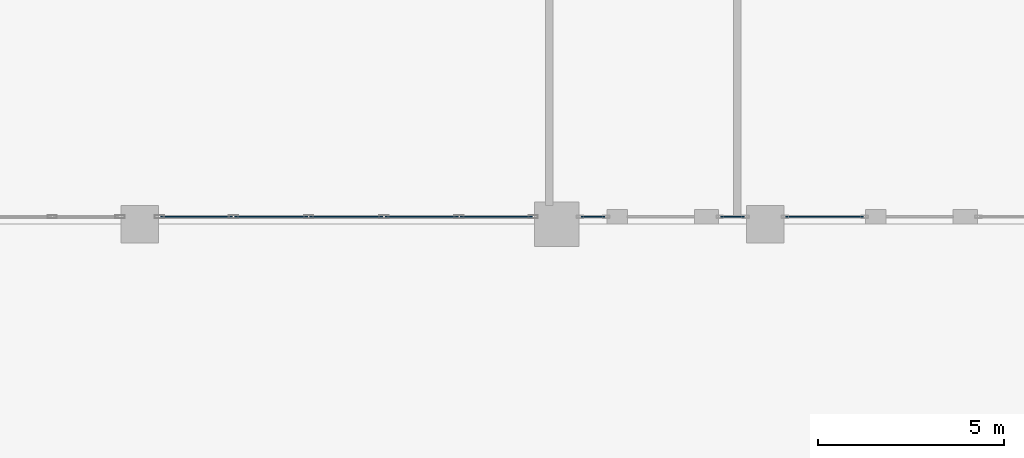
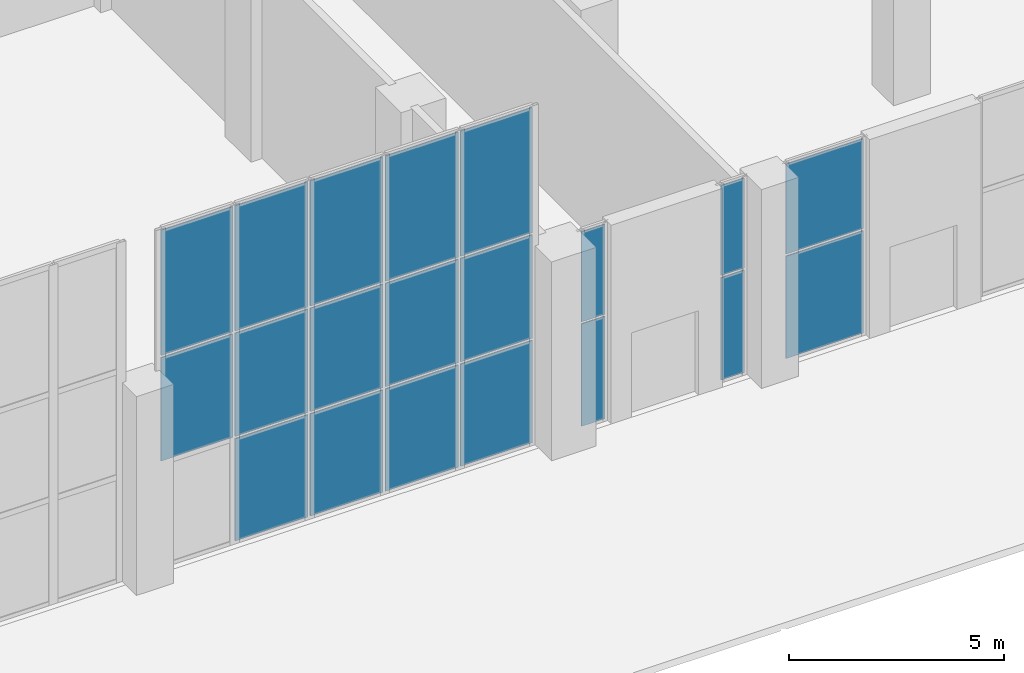
# One storey, part 9 of 25: 20 plates, 4 elements without a shape of their own.
"""IFC4 building model written with IfcOpenShell, lengths in metres."""

from ifc_helpers import new_model, si_unit, direction, frame, origin, origin_2d, place, context, subcontext, project, spatial, rectangle, extrude, material, layer, layer_set, type_object, element, aggregate, save


model = new_model("IFC4")

# Units and contexts
model_context = context("Model", 3, precision=1e-05, world=origin(), true_north=direction((0.0, 1.0)))
body_context = subcontext(model_context, "Body", "Model", "MODEL_VIEW")
ifc_project = project(units=[si_unit("LENGTHUNIT", "METRE"), si_unit("AREAUNIT", "SQUARE_METRE"), si_unit("VOLUMEUNIT", "CUBIC_METRE"), si_unit("PLANEANGLEUNIT", "RADIAN"), si_unit("MASSUNIT", "GRAM", prefix="KILO")], contexts=[model_context])

# Site, building, storey
site_placement = place(None, origin())
site = spatial("IfcSite", under=ifc_project, at=site_placement, CompositionType="ELEMENT")
building_placement = place(site_placement, origin())
building = spatial("IfcBuilding", under=site, at=building_placement, Name="Ostrander Bayou Hotel Tower", CompositionType="ELEMENT")
storey_placement = place(building_placement, origin())
storey = spatial("IfcBuildingStorey", under=building, at=storey_placement, Name="L00", CompositionType="ELEMENT", Elevation=0.0)

# Curtain wall, plates
ifc_material_1 = material(Name="Aluminium and clear glass", Category="aluminium")
curtain_wall_type_1 = type_object("IfcCurtainWallType", Name="CW-BALL glazed wall", PredefinedType="NOTDEFINED", material=ifc_material_1)
curtain_wall_1_placement = place(storey_placement, origin())
curtain_wall_1 = element("IfcCurtainWall", 1, at=curtain_wall_1_placement, inside=storey, type_object=curtain_wall_type_1, Name="CW-BALL L00:6", PredefinedType="NOTDEFINED")
ifc_material_2 = material(Name="Clear laminated glass", Category="glass")
ifc_layer_1 = layer(ifc_material_2, 0.028076171875)
ifc_layer_set_1 = layer_set([ifc_layer_1], Name="CW-BL glazing panel 28 mm")
plate_type_1 = type_object("IfcPlateType", Name="CW-BL glazing panel 28 mm", PredefinedType="CURTAIN_PANEL", material=ifc_layer_set_1)
plate_1_placement = place(storey_placement, frame((-15.625, -50.199951171875, 0.06005859375), z_axis=(0.0, 0.0, 1.0), x_axis=(-1.0, 0.0, 0.0)))
plate_1 = element("IfcPlate", 2, at=plate_1_placement, type_object=plate_type_1, Name="CW-BALL panel 1.1", PredefinedType="CURTAIN_PANEL", context=body_context, shape_type="SweptSolid", body=[
    extrude(rectangle(XDim=1.929931640625, YDim=0.028076171875, at=origin_2d()), origin(), (0.0, 0.0, 1.0), 2.909912109375),
])
plate_2_placement = place(storey_placement, frame((-15.625, -50.199951171875, 3.030029296875), z_axis=(0.0, 0.0, 1.0), x_axis=(-1.0, 0.0, 0.0)))
plate_2 = element("IfcPlate", 3, at=plate_2_placement, type_object=plate_type_1, Name="CW-BALL panel 1.2", PredefinedType="CURTAIN_PANEL", context=body_context, shape_type="SweptSolid", body=[
    extrude(rectangle(XDim=1.929931640625, YDim=0.028076171875, at=origin_2d()), origin(), (0.0, 0.0, 1.0), 2.93994140625),
])
plate_3_placement = place(storey_placement, frame((-15.625, -50.199951171875, 6.030029296875), z_axis=(0.0, 0.0, 1.0), x_axis=(-1.0, 0.0, 0.0)))
plate_3 = element("IfcPlate", 4, at=plate_3_placement, type_object=plate_type_1, Name="CW-BALL panel 1.3", PredefinedType="CURTAIN_PANEL", context=body_context, shape_type="SweptSolid", body=[
    extrude(rectangle(XDim=1.929931640625, YDim=0.028076171875, at=origin_2d()), origin(), (0.0, 0.0, 1.0), 3.56005859375),
])
plate_4_placement = place(storey_placement, frame((-17.6298828125, -50.199951171875, 0.06005859375), z_axis=(0.0, 0.0, 1.0), x_axis=(-1.0, 0.0, 0.0)))
plate_4 = element("IfcPlate", 5, at=plate_4_placement, type_object=plate_type_1, Name="CW-BALL panel 2.1", PredefinedType="CURTAIN_PANEL", context=body_context, shape_type="SweptSolid", body=[
    extrude(rectangle(XDim=1.9599609375, YDim=0.028076171875, at=origin_2d()), origin(), (0.0, 0.0, 1.0), 2.909912109375),
])
plate_5_placement = place(storey_placement, frame((-17.6298828125, -50.199951171875, 3.030029296875), z_axis=(0.0, 0.0, 1.0), x_axis=(-1.0, 0.0, 0.0)))
plate_5 = element("IfcPlate", 6, at=plate_5_placement, type_object=plate_type_1, Name="CW-BALL panel 2.2", PredefinedType="CURTAIN_PANEL", context=body_context, shape_type="SweptSolid", body=[
    extrude(rectangle(XDim=1.9599609375, YDim=0.028076171875, at=origin_2d()), origin(), (0.0, 0.0, 1.0), 2.93994140625),
])
plate_6_placement = place(storey_placement, frame((-17.6298828125, -50.199951171875, 6.030029296875), z_axis=(0.0, 0.0, 1.0), x_axis=(-1.0, 0.0, 0.0)))
plate_6 = element("IfcPlate", 7, at=plate_6_placement, type_object=plate_type_1, Name="CW-BALL panel 2.3", PredefinedType="CURTAIN_PANEL", context=body_context, shape_type="SweptSolid", body=[
    extrude(rectangle(XDim=1.9599609375, YDim=0.028076171875, at=origin_2d()), origin(), (0.0, 0.0, 1.0), 3.56005859375),
])
plate_7_placement = place(storey_placement, frame((-19.64990234375, -50.199951171875, 0.06005859375), z_axis=(0.0, 0.0, 1.0), x_axis=(-1.0, 0.0, 0.0)))
plate_7 = element("IfcPlate", 8, at=plate_7_placement, type_object=plate_type_1, Name="CW-BALL panel 3.1", PredefinedType="CURTAIN_PANEL", context=body_context, shape_type="SweptSolid", body=[
    extrude(rectangle(XDim=1.9599609375, YDim=0.028076171875, at=origin_2d()), origin(), (0.0, 0.0, 1.0), 2.909912109375),
])
plate_8_placement = place(storey_placement, frame((-19.64990234375, -50.199951171875, 3.030029296875), z_axis=(0.0, 0.0, 1.0), x_axis=(-1.0, 0.0, 0.0)))
plate_8 = element("IfcPlate", 9, at=plate_8_placement, type_object=plate_type_1, Name="CW-BALL panel 3.2", PredefinedType="CURTAIN_PANEL", context=body_context, shape_type="SweptSolid", body=[
    extrude(rectangle(XDim=1.9599609375, YDim=0.028076171875, at=origin_2d()), origin(), (0.0, 0.0, 1.0), 2.93994140625),
])
plate_9_placement = place(storey_placement, frame((-19.64990234375, -50.199951171875, 6.030029296875), z_axis=(0.0, 0.0, 1.0), x_axis=(-1.0, 0.0, 0.0)))
plate_9 = element("IfcPlate", 10, at=plate_9_placement, type_object=plate_type_1, Name="CW-BALL panel 3.3", PredefinedType="CURTAIN_PANEL", context=body_context, shape_type="SweptSolid", body=[
    extrude(rectangle(XDim=1.9599609375, YDim=0.028076171875, at=origin_2d()), origin(), (0.0, 0.0, 1.0), 3.56005859375),
])
plate_10_placement = place(storey_placement, frame((-21.669921875, -50.199951171875, 0.06005859375), z_axis=(0.0, 0.0, 1.0), x_axis=(-1.0, 0.0, 0.0)))
plate_10 = element("IfcPlate", 11, at=plate_10_placement, type_object=plate_type_1, Name="CW-BALL panel 4.1", PredefinedType="CURTAIN_PANEL", context=body_context, shape_type="SweptSolid", body=[
    extrude(rectangle(XDim=1.9599609375, YDim=0.028076171875, at=origin_2d()), origin(), (0.0, 0.0, 1.0), 2.909912109375),
])
plate_11_placement = place(storey_placement, frame((-21.669921875, -50.199951171875, 3.030029296875), z_axis=(0.0, 0.0, 1.0), x_axis=(-1.0, 0.0, 0.0)))
plate_11 = element("IfcPlate", 12, at=plate_11_placement, type_object=plate_type_1, Name="CW-BALL panel 4.2", PredefinedType="CURTAIN_PANEL", context=body_context, shape_type="SweptSolid", body=[
    extrude(rectangle(XDim=1.9599609375, YDim=0.028076171875, at=origin_2d()), origin(), (0.0, 0.0, 1.0), 2.93994140625),
])
plate_12_placement = place(storey_placement, frame((-21.669921875, -50.199951171875, 6.030029296875), z_axis=(0.0, 0.0, 1.0), x_axis=(-1.0, 0.0, 0.0)))
plate_12 = element("IfcPlate", 13, at=plate_12_placement, type_object=plate_type_1, Name="CW-BALL panel 4.3", PredefinedType="CURTAIN_PANEL", context=body_context, shape_type="SweptSolid", body=[
    extrude(rectangle(XDim=1.9599609375, YDim=0.028076171875, at=origin_2d()), origin(), (0.0, 0.0, 1.0), 3.56005859375),
])
plate_13_placement = place(storey_placement, frame((-23.675048828125, -50.199951171875, 3.030029296875), z_axis=(0.0, 0.0, 1.0), x_axis=(-1.0, 0.0, 0.0)))
plate_13 = element("IfcPlate", 14, at=plate_13_placement, type_object=plate_type_1, Name="CW-BALL panel 5.2", PredefinedType="CURTAIN_PANEL", context=body_context, shape_type="SweptSolid", body=[
    extrude(rectangle(XDim=1.929931640625, YDim=0.028076171875, at=origin_2d()), origin(), (0.0, 0.0, 1.0), 2.93994140625),
])
plate_14_placement = place(storey_placement, frame((-23.675048828125, -50.199951171875, 6.030029296875), z_axis=(0.0, 0.0, 1.0), x_axis=(-1.0, 0.0, 0.0)))
plate_14 = element("IfcPlate", 15, at=plate_14_placement, type_object=plate_type_1, Name="CW-BALL panel 5.3", PredefinedType="CURTAIN_PANEL", context=body_context, shape_type="SweptSolid", body=[
    extrude(rectangle(XDim=1.929931640625, YDim=0.028076171875, at=origin_2d()), origin(), (0.0, 0.0, 1.0), 3.56005859375),
])
aggregate(curtain_wall_1, [plate_1, plate_2, plate_3, plate_4, plate_5, plate_6, plate_7, plate_8, plate_9, plate_10, plate_11, plate_12, plate_13, plate_14])

ifc_material_3 = material(Name="Aluminium and clear glass", Category="aluminium")
curtain_wall_type_2 = type_object("IfcCurtainWallType", Name="CW-LOBBY glazed wall", PredefinedType="NOTDEFINED", material=ifc_material_3)
curtain_wall_2_placement = place(storey_placement, origin())
curtain_wall_2 = element("IfcCurtainWall", 16, at=curtain_wall_2_placement, inside=storey, type_object=curtain_wall_type_2, Name="CW-LOBBY L00:4:B", PredefinedType="NOTDEFINED")
ifc_material_4 = material(Name="Clear laminated glass", Category="glass")
ifc_layer_2 = layer(ifc_material_4, 0.028076171875)
ifc_layer_set_2 = layer_set([ifc_layer_2], Name="CW-LO glazing panel 28 mm")
plate_type_2 = type_object("IfcPlateType", Name="CW-LO glazing panel 28 mm", PredefinedType="CURTAIN_PANEL", material=ifc_layer_set_2)
plate_15_placement = place(storey_placement, frame((-6.800048828125, -50.199951171875, 0.06005859375), z_axis=(0.0, 0.0, 1.0), x_axis=(-1.0, 0.0, 0.0)))
plate_15 = element("IfcPlate", 17, at=plate_15_placement, type_object=plate_type_2, Name="CW-LOBBY panel 1.1", PredefinedType="CURTAIN_PANEL", context=body_context, shape_type="SweptSolid", body=[
    extrude(rectangle(XDim=2.080078125, YDim=0.028076171875, at=origin_2d()), origin(), (0.0, 0.0, 1.0), 2.909912109375),
])
plate_16_placement = place(storey_placement, frame((-6.800048828125, -50.199951171875, 3.030029296875), z_axis=(0.0, 0.0, 1.0), x_axis=(-1.0, 0.0, 0.0)))
plate_16 = element("IfcPlate", 18, at=plate_16_placement, type_object=plate_type_2, Name="CW-LOBBY panel 1.2", PredefinedType="CURTAIN_PANEL", context=body_context, shape_type="SweptSolid", body=[
    extrude(rectangle(XDim=2.080078125, YDim=0.028076171875, at=origin_2d()), origin(), (0.0, 0.0, 1.0), 2.56005859375),
])
aggregate(curtain_wall_2, [plate_15, plate_16])

curtain_wall_3_placement = place(storey_placement, origin())
curtain_wall_3 = element("IfcCurtainWall", 19, at=curtain_wall_3_placement, inside=storey, type_object=curtain_wall_type_2, Name="CW-LOBBY L00:5:A", PredefinedType="NOTDEFINED")
plate_17_placement = place(storey_placement, frame((-9.27490234375, -50.199951171875, 0.06005859375), z_axis=(0.0, 0.0, 1.0), x_axis=(-1.0, 0.0, 0.0)))
plate_17 = element("IfcPlate", 20, at=plate_17_placement, type_object=plate_type_2, Name="CW-LOBBY panel 1.1", PredefinedType="CURTAIN_PANEL", context=body_context, shape_type="SweptSolid", body=[
    extrude(rectangle(XDim=0.6298828125, YDim=0.028076171875, at=origin_2d()), origin(), (0.0, 0.0, 1.0), 2.909912109375),
])
plate_18_placement = place(storey_placement, frame((-9.27490234375, -50.199951171875, 3.030029296875), z_axis=(0.0, 0.0, 1.0), x_axis=(-1.0, 0.0, 0.0)))
plate_18 = element("IfcPlate", 21, at=plate_18_placement, type_object=plate_type_2, Name="CW-LOBBY panel 1.2", PredefinedType="CURTAIN_PANEL", context=body_context, shape_type="SweptSolid", body=[
    extrude(rectangle(XDim=0.6298828125, YDim=0.028076171875, at=origin_2d()), origin(), (0.0, 0.0, 1.0), 2.56005859375),
])
aggregate(curtain_wall_3, [plate_17, plate_18])

curtain_wall_4_placement = place(storey_placement, origin())
curtain_wall_4 = element("IfcCurtainWall", 22, at=curtain_wall_4_placement, inside=storey, type_object=curtain_wall_type_2, Name="CW-LOBBY L00:5:B", PredefinedType="NOTDEFINED")
plate_19_placement = place(storey_placement, frame((-13.02490234375, -50.199951171875, 0.06005859375), z_axis=(0.0, 0.0, 1.0), x_axis=(-1.0, 0.0, 0.0)))
plate_19 = element("IfcPlate", 23, at=plate_19_placement, type_object=plate_type_2, Name="CW-LOBBY panel 1.1", PredefinedType="CURTAIN_PANEL", context=body_context, shape_type="SweptSolid", body=[
    extrude(rectangle(XDim=0.6298828125, YDim=0.028076171875, at=origin_2d()), origin(), (0.0, 0.0, 1.0), 2.909912109375),
])
plate_20_placement = place(storey_placement, frame((-13.02490234375, -50.199951171875, 3.030029296875), z_axis=(0.0, 0.0, 1.0), x_axis=(-1.0, 0.0, 0.0)))
plate_20 = element("IfcPlate", 24, at=plate_20_placement, type_object=plate_type_2, Name="CW-LOBBY panel 1.2", PredefinedType="CURTAIN_PANEL", context=body_context, shape_type="SweptSolid", body=[
    extrude(rectangle(XDim=0.6298828125, YDim=0.028076171875, at=origin_2d()), origin(), (0.0, 0.0, 1.0), 2.56005859375),
])
aggregate(curtain_wall_4, [plate_19, plate_20])

save(model, "model.ifc")
